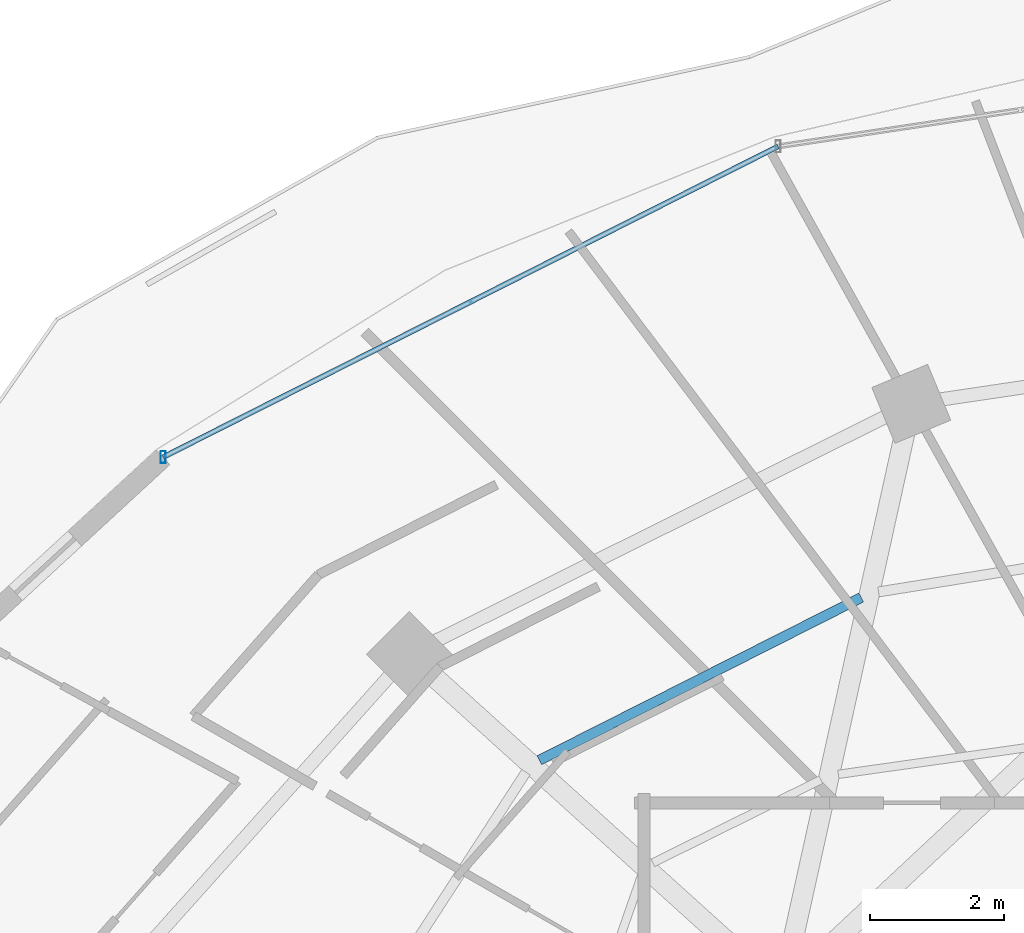
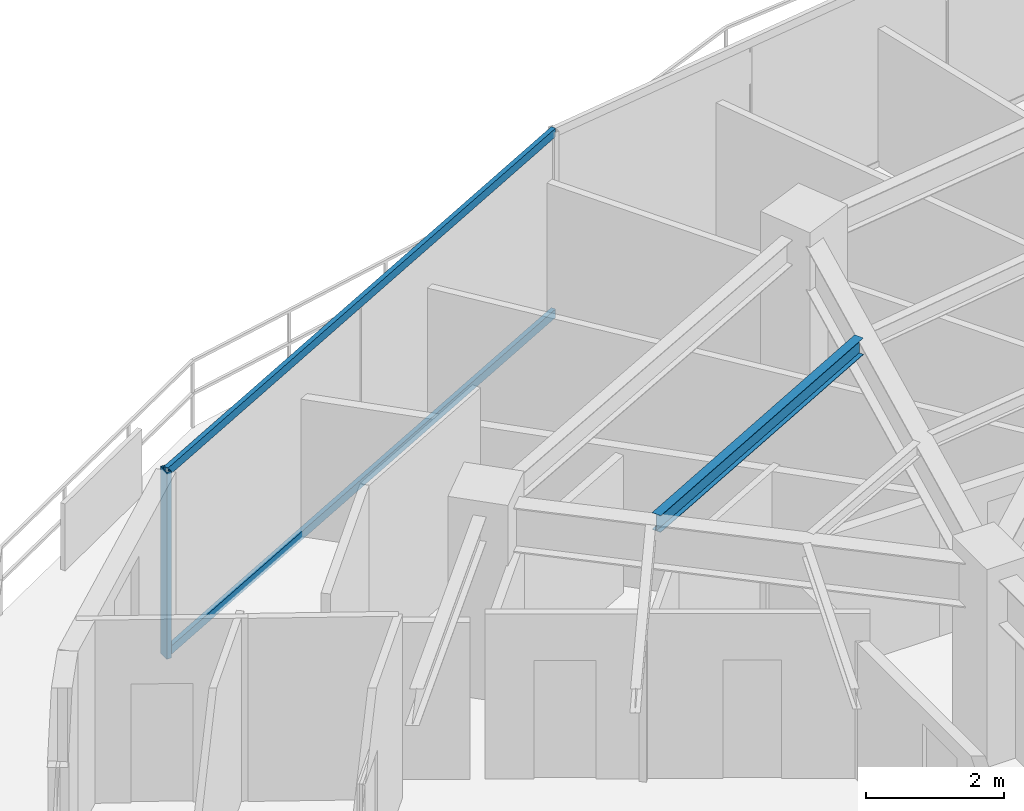
# One storey, part 18 of 33: 3 members, 1 beam, 1 element without a shape of its own.
"""IFC4 building model written with IfcOpenShell, lengths in metres."""

from ifc_helpers import new_model, si_unit, direction, frame, origin, origin_2d, place, context, subcontext, project, spatial, hollow_rectangle, i_section, extrude, material, material_profile, profile_set, type_object, element, aggregate, save


model = new_model("IFC4")

# Units and contexts
model_context = context("Model", 3, precision=1e-05, world=origin(), true_north=direction((0.0, 1.0)))
body_context = subcontext(model_context, "Body", "Model", "MODEL_VIEW")
ifc_project = project(units=[si_unit("LENGTHUNIT", "METRE"), si_unit("AREAUNIT", "SQUARE_METRE"), si_unit("VOLUMEUNIT", "CUBIC_METRE"), si_unit("PLANEANGLEUNIT", "RADIAN"), si_unit("MASSUNIT", "GRAM", prefix="KILO")], contexts=[model_context])

# Site, building, storey
site_placement = place(None, origin())
site = spatial("IfcSite", under=ifc_project, at=site_placement, CompositionType="ELEMENT")
building_placement = place(site_placement, origin())
building = spatial("IfcBuilding", under=site, at=building_placement, Name="Vorneva Point Tower", CompositionType="ELEMENT")
storey_placement = place(building_placement, frame((0.0, 0.0, 189.60009765625)))
storey = spatial("IfcBuildingStorey", under=building, at=storey_placement, Name="L51", CompositionType="ELEMENT", Elevation=189.60009765625)

# Beam
ifc_material_1 = material(Name="Steel S355", Category="steel")
ifc_material_profile_1 = material_profile(ifc_material_1, i_section(OverallWidth=0.14892578125, OverallDepth=0.298095703125, WebThickness=0.005615234375, FlangeThickness=0.008056640625, at=origin_2d()), Name="30B1")
ifc_profile_set_1 = profile_set([ifc_material_profile_1], Name="Steel S355")
beam_type = type_object("IfcBeamType", Name="BM-JST-30B1", PredefinedType="JOIST", material=ifc_profile_set_1)
beam_placement = place(storey_placement, frame((28.43310546875, 39.00634765625, 3.0908203125), z_axis=(-0.892445275424, -0.451155660912, 0.0), x_axis=(0.451155660912, -0.892445275424, 0.0)))
element("IfcBeam", 1, at=beam_placement, inside=storey, type_object=beam_type, Name="L51 Secondary Floor Beam 1.06", PredefinedType="JOIST", context=body_context, shape_type="SweptSolid", body=[
    extrude(i_section(OverallWidth=0.14892578125, OverallDepth=0.298095703125, WebThickness=0.005615234375, FlangeThickness=0.008056640625, at=origin_2d()), origin(), (0.0, 0.0, 1.0), 5.369873046875),
])

# Curtain wall, members
ifc_material_2 = material(Name="Pale anodised aluminium", Category="aluminium")
curtain_wall_type = type_object("IfcCurtainWallType", Name="CW-RES-SYS", PredefinedType="NOTDEFINED", material=ifc_material_2)
curtain_wall_placement = place(storey_placement, origin())
curtain_wall = element("IfcCurtainWall", 2, at=curtain_wall_placement, inside=storey, type_object=curtain_wall_type, Name="L51 Unitised Curtain Wall CW-L51-R02", PredefinedType="NOTDEFINED")
ifc_material_profile_2 = material_profile(ifc_material_2, hollow_rectangle(XDim=0.074951171875, YDim=0.179931640625, WallThickness=0.00390625, at=origin_2d()), Name="AL-MUL 180x75x4")
ifc_profile_set_2 = profile_set([ifc_material_profile_2], Name="Pale anodised aluminium")
member_type_1 = type_object("IfcMemberType", Name="CW-MUL-180", PredefinedType="MULLION", material=ifc_profile_set_2)
member_1_placement = place(storey_placement, frame((18.038330078125, 41.0966796875, -0.0400390625), z_axis=(0.0, 0.0, 1.0), x_axis=(1.0, 0.0, 0.0)))
member_1 = element("IfcMember", 3, at=member_1_placement, type_object=member_type_1, Name="CW-L51-R02 Mullion 05", PredefinedType="MULLION", context=body_context, shape_type="SweptSolid", body=[
    extrude(hollow_rectangle(XDim=0.074951171875, YDim=0.179931640625, WallThickness=0.00390625, at=origin_2d()), origin(), (0.0, 0.0, 1.0), 3.31005859375),
])
ifc_material_profile_3 = material_profile(ifc_material_2, hollow_rectangle(XDim=0.074951171875, YDim=0.14990234375, WallThickness=0.00390625, at=origin_2d()), Name="AL-TRN 150x75x4")
ifc_profile_set_3 = profile_set([ifc_material_profile_3], Name="Pale anodised aluminium")
member_type_2 = type_object("IfcMemberType", Name="CW-TRN-150", PredefinedType="USERDEFINED", material=ifc_profile_set_3)
member_2_placement = place(storey_placement, frame((27.19677734375, 45.724853515625, 0.02001953125), z_axis=(-0.892510927709, -0.451025768576, 0.0), x_axis=(0.451025768576, -0.892510927709, 0.0)))
member_2 = element("IfcMember", 4, at=member_2_placement, type_object=member_type_2, Name="CW-L51-R02 Transom 04.1", ObjectType="TRANSOM", PredefinedType="USERDEFINED", context=body_context, shape_type="SweptSolid", body=[
    extrude(hollow_rectangle(XDim=0.074951171875, YDim=0.14990234375, WallThickness=0.00390625, at=origin_2d()), origin(), (0.0, 0.0, 1.0), 10.261474609375),
])
member_3_placement = place(storey_placement, frame((27.19677734375, 45.724853515625, 3.219970703125), z_axis=(-0.892510927709, -0.451025768576, 0.0), x_axis=(0.451025768576, -0.892510927709, 0.0)))
member_3 = element("IfcMember", 5, at=member_3_placement, type_object=member_type_2, Name="CW-L51-R02 Transom 04.2", ObjectType="TRANSOM", PredefinedType="USERDEFINED", context=body_context, shape_type="SweptSolid", body=[
    extrude(hollow_rectangle(XDim=0.074951171875, YDim=0.14990234375, WallThickness=0.00390625, at=origin_2d()), origin(), (0.0, 0.0, 1.0), 10.261474609375),
])
aggregate(curtain_wall, [member_1, member_2, member_3])

save(model, "model.ifc")
